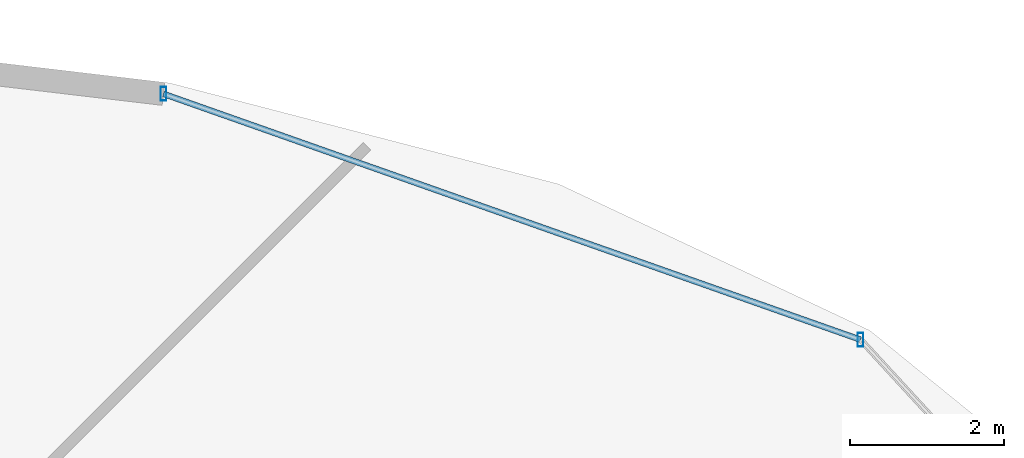
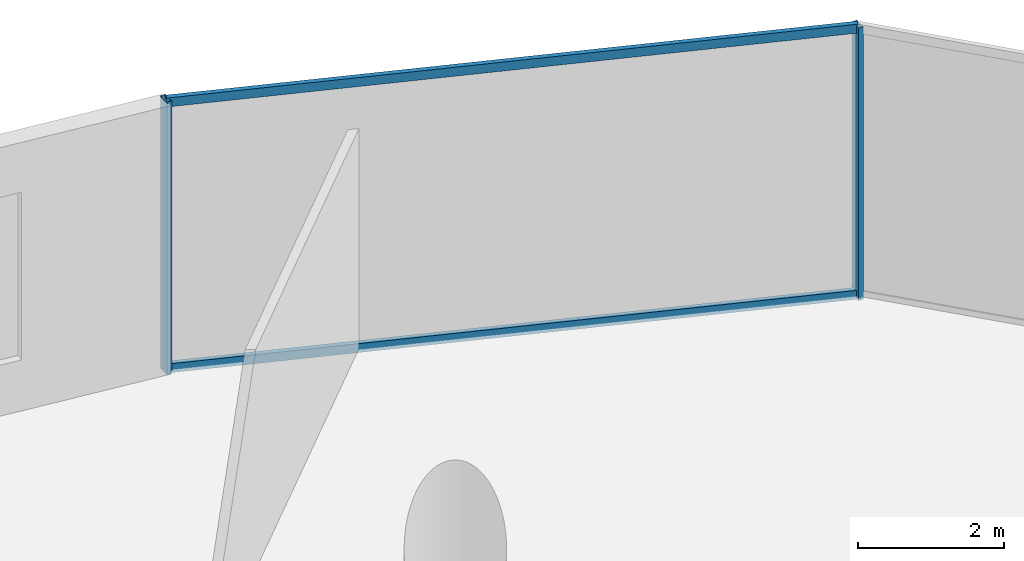
# One storey, part 18 of 30: 4 members, 1 element without a shape of its own.
"""IFC4 building model written with IfcOpenShell, lengths in metres."""

from ifc_helpers import new_model, si_unit, direction, frame, origin, origin_2d, place, context, subcontext, project, spatial, hollow_rectangle, extrude, material, material_profile, profile_set, type_object, element, aggregate, save


model = new_model("IFC4")

# Units and contexts
model_context = context("Model", 3, precision=1e-05, world=origin(), true_north=direction((0.0, 1.0)))
body_context = subcontext(model_context, "Body", "Model", "MODEL_VIEW")
ifc_project = project(units=[si_unit("LENGTHUNIT", "METRE"), si_unit("AREAUNIT", "SQUARE_METRE"), si_unit("VOLUMEUNIT", "CUBIC_METRE"), si_unit("PLANEANGLEUNIT", "RADIAN"), si_unit("MASSUNIT", "GRAM", prefix="KILO")], contexts=[model_context])

# Site, building, storey
site_placement = place(None, origin())
site = spatial("IfcSite", under=ifc_project, at=site_placement, CompositionType="ELEMENT")
building_placement = place(site_placement, origin())
building = spatial("IfcBuilding", under=site, at=building_placement, Name="Vorneva Point Tower", CompositionType="ELEMENT")
storey_placement = place(building_placement, frame((0.0, 0.0, 9.60009765625)))
storey = spatial("IfcBuildingStorey", under=building, at=storey_placement, Name="L02", CompositionType="ELEMENT", Elevation=9.60009765625)

# Curtain wall, members
ifc_material = material(Name="Pale anodised aluminium", Category="aluminium")
curtain_wall_type = type_object("IfcCurtainWallType", Name="CW-POD-SYS", PredefinedType="NOTDEFINED", material=ifc_material)
curtain_wall_placement = place(storey_placement, origin())
curtain_wall = element("IfcCurtainWall", 1, at=curtain_wall_placement, inside=storey, type_object=curtain_wall_type, Name="L02 Unitised Curtain Wall CW-L02-R01", PredefinedType="NOTDEFINED")
ifc_material_profile_1 = material_profile(ifc_material, hollow_rectangle(XDim=0.074951171875, YDim=0.179931640625, WallThickness=0.00390625, at=origin_2d()), Name="AL-MUL 180x75x4")
ifc_profile_set_1 = profile_set([ifc_material_profile_1], Name="Pale anodised aluminium")
member_type_1 = type_object("IfcMemberType", Name="CW-MUL-180", PredefinedType="MULLION", material=ifc_profile_set_1)
member_1_placement = place(storey_placement, frame((65.8212890625, 44.883056640625, -0.0400390625), z_axis=(0.0, 0.0, 1.0), x_axis=(1.0, 0.0, 0.0)))
member_1 = element("IfcMember", 2, at=member_1_placement, type_object=member_type_1, Name="CW-L02-R01 Mullion 05", PredefinedType="MULLION", context=body_context, shape_type="SweptSolid", body=[
    extrude(hollow_rectangle(XDim=0.074951171875, YDim=0.179931640625, WallThickness=0.00390625, at=origin_2d()), origin(), (0.0, 0.0, 1.0), 4.550048828125),
])
member_2_placement = place(storey_placement, frame((56.75390625, 48.0810546875, -0.0400390625), z_axis=(0.0, 0.0, 1.0), x_axis=(1.0, 0.0, 0.0)))
member_2 = element("IfcMember", 3, at=member_2_placement, type_object=member_type_1, Name="CW-L02-R01 Mullion 06", PredefinedType="MULLION", context=body_context, shape_type="SweptSolid", body=[
    extrude(hollow_rectangle(XDim=0.074951171875, YDim=0.179931640625, WallThickness=0.00390625, at=origin_2d()), origin(), (0.0, 0.0, 1.0), 4.550048828125),
])
ifc_material_profile_2 = material_profile(ifc_material, hollow_rectangle(XDim=0.074951171875, YDim=0.14990234375, WallThickness=0.00390625, at=origin_2d()), Name="AL-TRN 150x75x4")
ifc_profile_set_2 = profile_set([ifc_material_profile_2], Name="Pale anodised aluminium")
member_type_2 = type_object("IfcMemberType", Name="CW-TRN-150", PredefinedType="USERDEFINED", material=ifc_profile_set_2)
member_3_placement = place(storey_placement, frame((65.8212890625, 44.883056640625, 0.02001953125), z_axis=(-0.943063908654, 0.332611581569, 0.0), x_axis=(-0.332611581569, -0.943063908654, 0.0)))
member_3 = element("IfcMember", 4, at=member_3_placement, type_object=member_type_2, Name="CW-L02-R01 Transom 05.1", ObjectType="TRANSOM", PredefinedType="USERDEFINED", context=body_context, shape_type="SweptSolid", body=[
    extrude(hollow_rectangle(XDim=0.074951171875, YDim=0.14990234375, WallThickness=0.00390625, at=origin_2d()), origin(), (0.0, 0.0, 1.0), 9.61474609375),
])
member_4_placement = place(storey_placement, frame((65.8212890625, 44.883056640625, 4.4599609375), z_axis=(-0.943063908654, 0.332611581569, 0.0), x_axis=(-0.332611581569, -0.943063908654, 0.0)))
member_4 = element("IfcMember", 5, at=member_4_placement, type_object=member_type_2, Name="CW-L02-R01 Transom 05.2", ObjectType="TRANSOM", PredefinedType="USERDEFINED", context=body_context, shape_type="SweptSolid", body=[
    extrude(hollow_rectangle(XDim=0.074951171875, YDim=0.14990234375, WallThickness=0.00390625, at=origin_2d()), origin(), (0.0, 0.0, 1.0), 9.61474609375),
])
aggregate(curtain_wall, [member_1, member_2, member_3, member_4])

save(model, "model.ifc")
